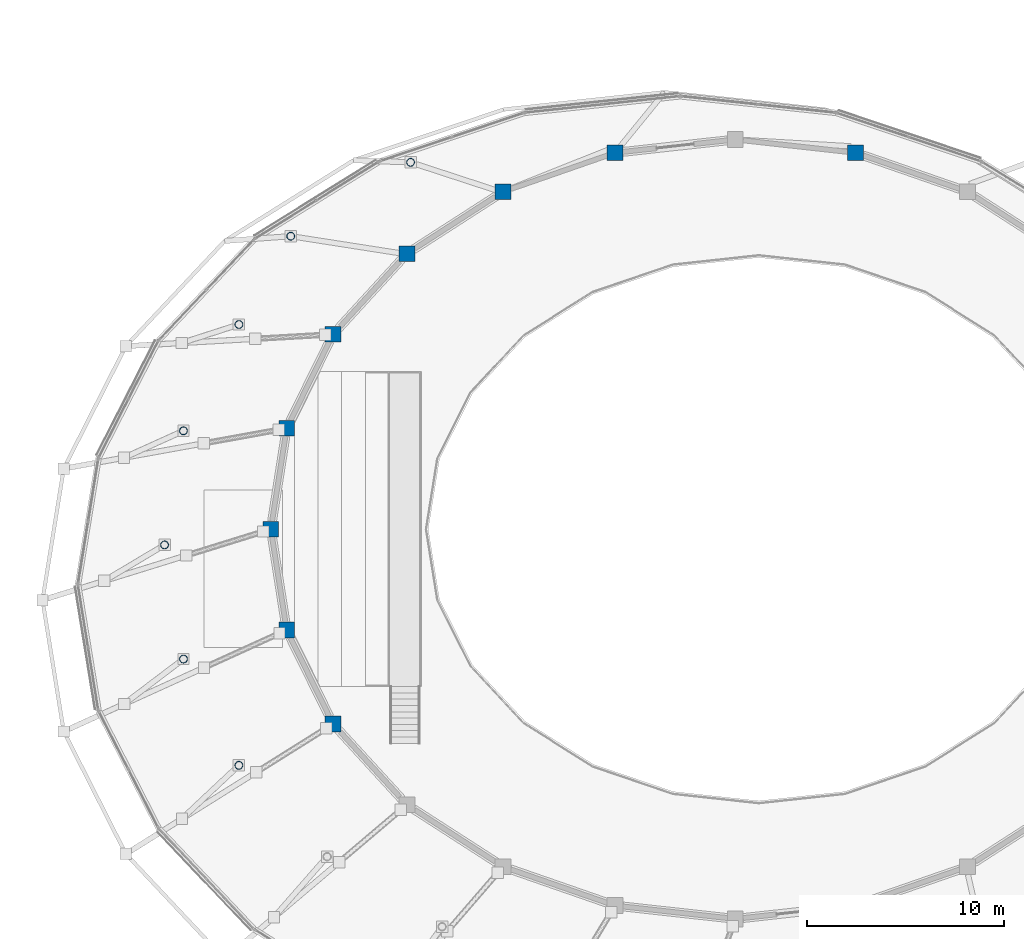
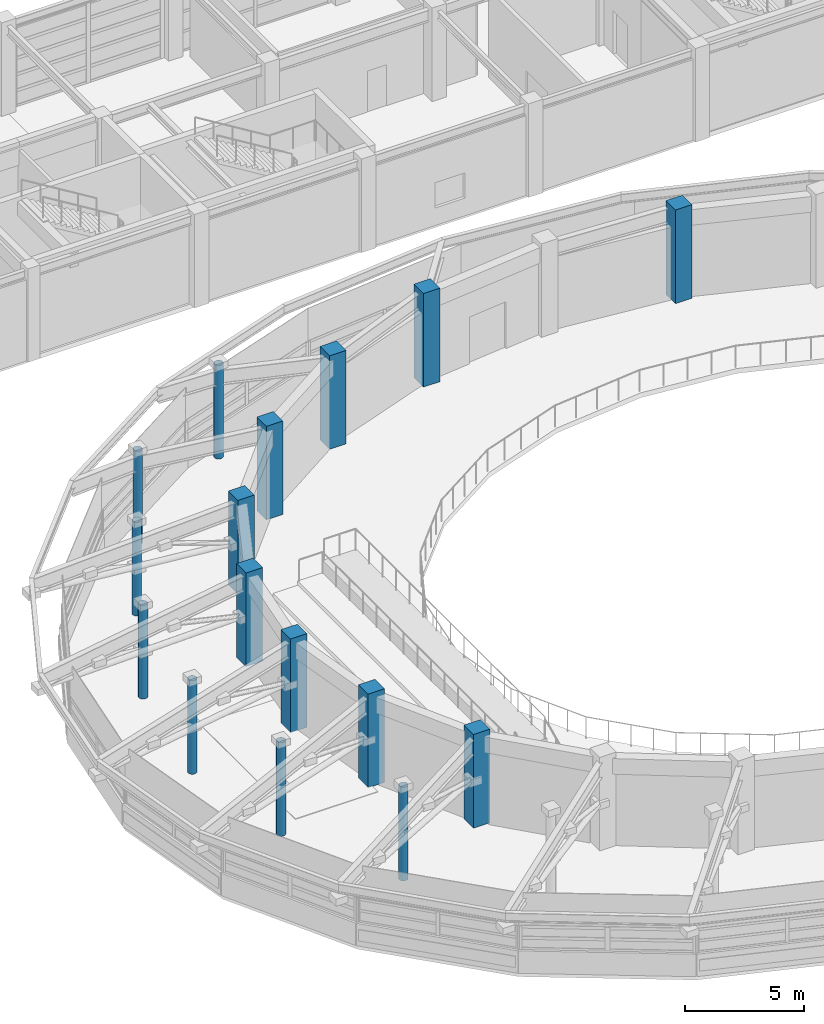
# One storey, part 2 of 58: 16 columns.
"""IFC4 building model written with IfcOpenShell, lengths in metres."""

from ifc_helpers import new_model, si_unit, direction, frame, origin, origin_2d, place, context, subcontext, project, spatial, rectangle, hollow_circle, extrude, material, material_profile, profile_set, type_object, element, save


model = new_model("IFC4")

# Units and contexts
model_context = context("Model", 3, precision=1e-05, world=origin(), true_north=direction((0.0, 1.0)))
body_context = subcontext(model_context, "Body", "Model", "MODEL_VIEW")
ifc_project = project(units=[si_unit("LENGTHUNIT", "METRE"), si_unit("AREAUNIT", "SQUARE_METRE"), si_unit("VOLUMEUNIT", "CUBIC_METRE"), si_unit("PLANEANGLEUNIT", "RADIAN"), si_unit("MASSUNIT", "GRAM", prefix="KILO")], contexts=[model_context])

# Site, building, storey
site_placement = place(None, origin())
site = spatial("IfcSite", under=ifc_project, at=site_placement, CompositionType="ELEMENT")
building_placement = place(site_placement, origin())
building = spatial("IfcBuilding", under=site, at=building_placement, Name="Parian Resonance Hall", CompositionType="ELEMENT")
storey_placement = place(building_placement, frame((0.0, 0.0, 10.199951171875)))
storey = spatial("IfcBuildingStorey", under=building, at=storey_placement, Name="L02", CompositionType="ELEMENT", Elevation=10.199951171875)

# Columns
ifc_material_1 = material(Name="Hollow structural steel S355", Category="steel")
ifc_material_profile_1 = material_profile(ifc_material_1, hollow_circle(Radius=0.203125, WallThickness=0.01611328125, at=origin_2d()), Name="CHS406.4x16")
ifc_profile_set_1 = profile_set([ifc_material_profile_1], Name="Hollow structural steel S355")
column_type_1 = type_object("IfcColumnType", Name="COL-CHS406", PredefinedType="COLUMN", material=ifc_profile_set_1)
for number, where, z_axis, x_axis, name in (
    (1, (27.5, 62.63818359375, 0.0), (0.0, 0.0, 1.0), (1.0, 0.0, 0.0), "Column RNG-09 L02"),
    (2, (21.4111328125, 58.8876953125, 0.0), (0.0, 0.0, 1.0), (1.0, 0.0, 0.0), "Column RNG-10 L02"),
    (3, (18.778076171875, 54.39990234375, 0.0), (0.0, 0.0, 1.0), (1.0, 0.0, 0.0), "Column RNG-11 L02"),
    (4, (15.9609375, 48.99755859375, 0.0), (0.0, 0.0, 1.0), (1.0, 0.0, 0.0), "Column RNG-12 L02"),
    (5, (15.0, 43.199951171875, 0.0), (0.0, 0.0, 1.0), (1.0, 0.0, 0.0), "Column RNG-13 L02"),
    (6, (15.9609375, 37.402587890625, 0.0), (0.0, 0.0, 1.0), (1.0, 0.0, 0.0), "Column RNG-14 L02"),
    (7, (18.778076171875, 32.0, 0.0), (0.0, 0.0, 1.0), (1.0, 0.0, 0.0), "Column RNG-15 L02"),
):
    element("IfcColumn", number, at=place(storey_placement, frame(where, z_axis=z_axis, x_axis=x_axis)), inside=storey, type_object=column_type_1, Name=name, PredefinedType="COLUMN", context=body_context, shape_type="SweptSolid", body=[
        extrude(hollow_circle(Radius=0.203125, WallThickness=0.01611328125, at=origin_2d()), origin(), (0.0, 0.0, 1.0), 4.800048828125),
    ])
ifc_material_2 = material(Name="Concrete C40/50", Category="concrete")
ifc_material_profile_2 = material_profile(ifc_material_2, rectangle(XDim=0.800048828125, YDim=0.800048828125, at=origin_2d()), Name="RC-COL-800x800")
ifc_profile_set_2 = profile_set([ifc_material_profile_2], Name="Concrete C40/50")
column_type_2 = type_object("IfcColumnType", Name="COL-RC800", PredefinedType="COLUMN", material=ifc_profile_set_2)
for number, where, z_axis, x_axis, name in (
    (8, (50.108154296875, 63.125244140625, 0.0), (0.0, 0.0, 1.0), (1.0, 0.0, 0.0), "Column DRM-06 L02"),
    (9, (37.891845703125, 63.125244140625, 0.0), (0.0, 0.0, 1.0), (1.0, 0.0, 0.0), "Column DRM-08 L02"),
    (10, (32.199951171875, 61.147216796875, 0.0), (0.0, 0.0, 1.0), (1.0, 0.0, 0.0), "Column DRM-09 L02"),
    (11, (27.312255859375, 58.000732421875, 0.0), (0.0, 0.0, 1.0), (1.0, 0.0, 0.0), "Column DRM-10 L02"),
    (12, (23.561767578125, 53.89990234375, 0.0), (0.0, 0.0, 1.0), (1.0, 0.0, 0.0), "Column DRM-11 L02"),
    (13, (21.2041015625, 49.12451171875, 0.0), (0.0, 0.0, 1.0), (1.0, 0.0, 0.0), "Column DRM-12 L02"),
    (14, (20.39990234375, 44.0, 0.0), (0.0, 0.0, 1.0), (1.0, 0.0, 0.0), "Column DRM-13 L02"),
    (15, (21.2041015625, 38.87548828125, 0.0), (0.0, 0.0, 1.0), (1.0, 0.0, 0.0), "Column DRM-14 L02"),
    (16, (23.561767578125, 34.10009765625, 0.0), (0.0, 0.0, 1.0), (1.0, 0.0, 0.0), "Column DRM-15 L02"),
):
    element("IfcColumn", number, at=place(storey_placement, frame(where, z_axis=z_axis, x_axis=x_axis)), inside=storey, type_object=column_type_2, Name=name, PredefinedType="COLUMN", context=body_context, shape_type="SweptSolid", body=[
        extrude(rectangle(XDim=0.800048828125, YDim=0.800048828125, at=origin_2d()), origin(), (0.0, 0.0, 1.0), 4.800048828125),
    ])

save(model, "model.ifc")
